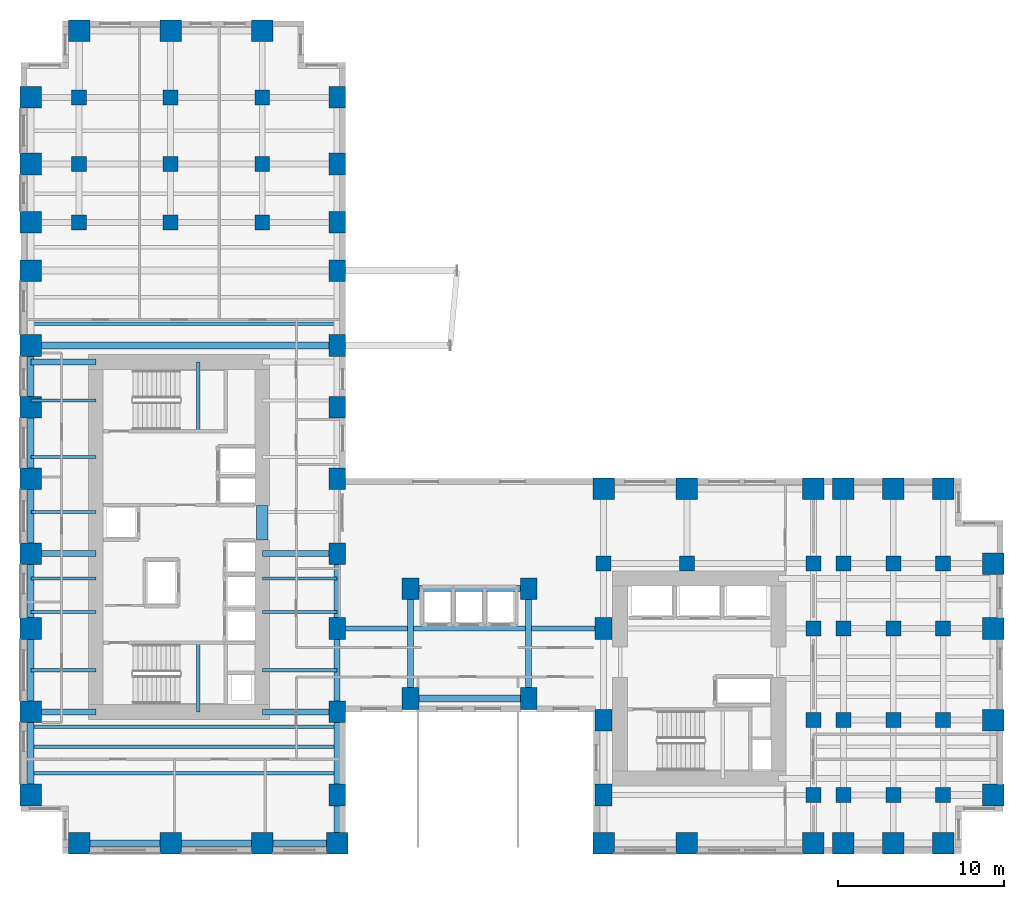
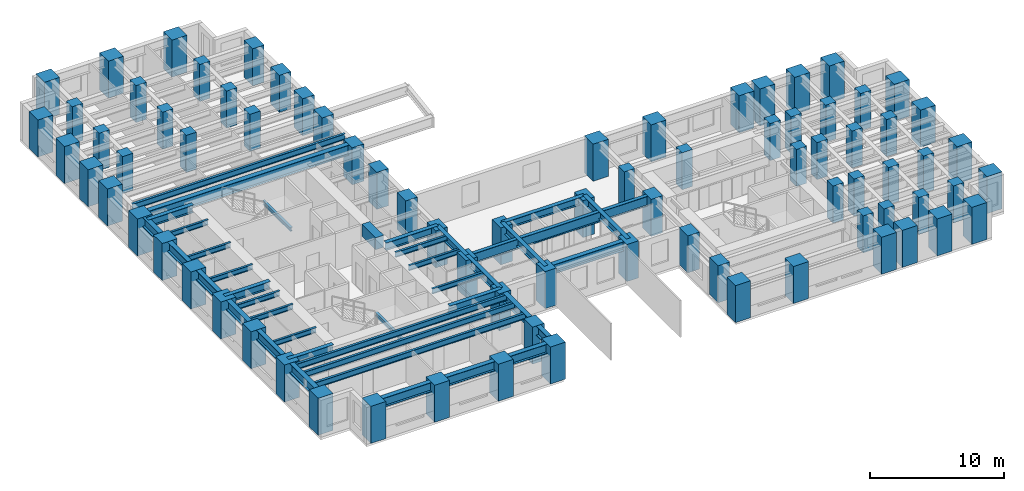
# One storey, part 1 of 14: 79 columns, 40 beams.
"""IFC4 building model written with IfcOpenShell, lengths in metres."""

from ifc_helpers import new_model, si_unit, direction, frame, origin, origin_2d, place, context, subcontext, project, spatial, rectangle, i_section, extrude, source, transform, mapped, material, material_profile, profile_set, type_object, element, save


model = new_model("IFC4")

# Units and contexts
model_context = context("Model", 3, precision=1e-05, world=origin(), true_north=direction((0.0, 1.0)))
body_context = subcontext(model_context, "Body", "Model", "MODEL_VIEW")
ifc_project = project(units=[si_unit("LENGTHUNIT", "METRE"), si_unit("AREAUNIT", "SQUARE_METRE"), si_unit("VOLUMEUNIT", "CUBIC_METRE"), si_unit("PLANEANGLEUNIT", "RADIAN"), si_unit("MASSUNIT", "GRAM", prefix="KILO")], contexts=[model_context])

# Site, building, storey
site_placement = place(None, origin())
site = spatial("IfcSite", under=ifc_project, at=site_placement, CompositionType="ELEMENT")
building_placement = place(site_placement, origin())
building = spatial("IfcBuilding", under=site, at=building_placement, Name="Kharzan Plaza Tower", CompositionType="ELEMENT")
storey_placement = place(building_placement, frame((0.0, 0.0, 36.89990234375)))
storey = spatial("IfcBuildingStorey", under=building, at=storey_placement, Name="L09", CompositionType="ELEMENT", Elevation=36.89990234375)

# Columns
ifc_material_1 = material(Name="Concrete C50/60", Category="concrete")
ifc_material_profile_1 = material_profile(ifc_material_1, rectangle(XDim=0.89990234375, YDim=0.89990234375, at=origin_2d()), Name="RC-IC900x900")
ifc_profile_set_1 = profile_set([ifc_material_profile_1], Name="Concrete C50/60")
column_type_1 = type_object("IfcColumnType", Name="COL-IC900", PredefinedType="COLUMN", material=ifc_profile_set_1)
shared_shape_1 = source(origin(), body_context, "Body", "SweptSolid", [
    extrude(rectangle(XDim=0.89990234375, YDim=0.89990234375, at=origin_2d()), origin(), (0.0, 0.0, 1.0), 3.380126953125),
])
for number, where, z_axis, x_axis, name in (
    (1, (47.60009765625, 13.5, 0.0), (0.0, 0.0, 1.0), (1.0, 0.0, 0.0), "L09 Structural Column TCBI-135"),
    (2, (47.60009765625, 3.5, 0.0), (0.0, 0.0, 1.0), (1.0, 0.0, 0.0), "L09 Structural Column TCBI-35"),
    (3, (47.60009765625, 8.0, 0.0), (0.0, 0.0, 1.0), (1.0, 0.0, 0.0), "L09 Structural Column TCBI-80"),
    (4, (35.0, 17.39990234375, 0.0), (0.0, 0.0, 1.0), (1.0, 0.0, 0.0), "L09 Structural Column TCBN-350-174"),
    (5, (40.0, 17.39990234375, 0.0), (0.0, 0.0, 1.0), (1.0, 0.0, 0.0), "L09 Structural Column TCBN-400-174"),
    (6, (47.60009765625, 17.39990234375, 0.0), (0.0, 0.0, 1.0), (1.0, 0.0, 0.0), "L09 Structural Column TCBN-476-174"),
    (7, (49.39990234375, 13.5, 0.0), (0.0, 0.0, 1.0), (1.0, 0.0, 0.0), "L09 Structural Column TCE-494-135"),
    (8, (49.39990234375, 17.39990234375, 0.0), (0.0, 0.0, 1.0), (1.0, 0.0, 0.0), "L09 Structural Column TCE-494-174"),
    (9, (49.39990234375, 3.5, 0.0), (0.0, 0.0, 1.0), (1.0, 0.0, 0.0), "L09 Structural Column TCE-494-35"),
    (10, (49.39990234375, 8.0, 0.0), (0.0, 0.0, 1.0), (1.0, 0.0, 0.0), "L09 Structural Column TCE-494-80"),
    (11, (52.39990234375, 13.5, 0.0), (0.0, 0.0, 1.0), (1.0, 0.0, 0.0), "L09 Structural Column TCE-524-135"),
    (12, (52.39990234375, 17.39990234375, 0.0), (0.0, 0.0, 1.0), (1.0, 0.0, 0.0), "L09 Structural Column TCE-524-174"),
    (13, (52.39990234375, 3.5, 0.0), (0.0, 0.0, 1.0), (1.0, 0.0, 0.0), "L09 Structural Column TCE-524-35"),
    (14, (52.39990234375, 8.0, 0.0), (0.0, 0.0, 1.0), (1.0, 0.0, 0.0), "L09 Structural Column TCE-524-80"),
    (15, (55.39990234375, 13.5, 0.0), (0.0, 0.0, 1.0), (1.0, 0.0, 0.0), "L09 Structural Column TCE-554-135"),
    (16, (55.39990234375, 17.39990234375, 0.0), (0.0, 0.0, 1.0), (1.0, 0.0, 0.0), "L09 Structural Column TCE-554-174"),
    (17, (55.39990234375, 3.5, 0.0), (0.0, 0.0, 1.0), (1.0, 0.0, 0.0), "L09 Structural Column TCE-554-35"),
    (18, (55.39990234375, 8.0, 0.0), (0.0, 0.0, 1.0), (1.0, 0.0, 0.0), "L09 Structural Column TCE-554-80"),
    (19, (14.5, 37.89990234375, 0.0), (0.0, 0.0, 1.0), (1.0, 0.0, 0.0), "L09 Structural Column TCN-145-379"),
    (20, (14.5, 41.39990234375, 0.0), (0.0, 0.0, 1.0), (1.0, 0.0, 0.0), "L09 Structural Column TCN-145-414"),
    (21, (14.5, 45.39990234375, 0.0), (0.0, 0.0, 1.0), (1.0, 0.0, 0.0), "L09 Structural Column TCN-145-454"),
    (22, (3.5, 37.89990234375, 0.0), (0.0, 0.0, 1.0), (1.0, 0.0, 0.0), "L09 Structural Column TCN-35-379"),
    (23, (3.5, 41.39990234375, 0.0), (0.0, 0.0, 1.0), (1.0, 0.0, 0.0), "L09 Structural Column TCN-35-414"),
    (24, (3.5, 45.39990234375, 0.0), (0.0, 0.0, 1.0), (1.0, 0.0, 0.0), "L09 Structural Column TCN-35-454"),
    (25, (9.0, 37.89990234375, 0.0), (0.0, 0.0, 1.0), (1.0, 0.0, 0.0), "L09 Structural Column TCN-90-379"),
    (26, (9.0, 41.39990234375, 0.0), (0.0, 0.0, 1.0), (1.0, 0.0, 0.0), "L09 Structural Column TCN-90-414"),
    (27, (9.0, 45.39990234375, 0.0), (0.0, 0.0, 1.0), (1.0, 0.0, 0.0), "L09 Structural Column TCN-90-454"),
):
    element("IfcColumn", number, at=place(storey_placement, frame(where, z_axis=z_axis, x_axis=x_axis)), inside=storey, type_object=column_type_1, Name=name, PredefinedType="COLUMN", context=body_context, shape_type="MappedRepresentation", body=[
        mapped(shared_shape_1, transform((0.0, 0.0, 0.0), x_axis=(1.0, 0.0, 0.0), y_axis=(0.0, 1.0, 0.0), z_axis=(0.0, 0.0, 1.0))),
    ])
ifc_material_2 = material(Name="Concrete C60/75", Category="concrete")
ifc_material_profile_2 = material_profile(ifc_material_2, rectangle(XDim=1.0, YDim=1.300048828125, at=origin_2d()), Name="RC-SC1300x1000")
ifc_profile_set_2 = profile_set([ifc_material_profile_2], Name="Concrete C60/75")
column_type_2 = type_object("IfcColumnType", Name="COL-SC1300", PredefinedType="COLUMN", material=ifc_profile_set_2)
shared_shape_2 = source(origin(), body_context, "Body", "SweptSolid", [
    extrude(rectangle(XDim=1.0, YDim=1.300048828125, at=origin_2d()), origin(), (0.0, 0.0, 1.0), 3.380126953125),
])
for number, where, z_axis, x_axis, name in (
    (28, (19.0, 13.5, 0.0), (0.0, 0.0, 1.0), (1.0, 0.0, 0.0), "L09 Structural Column TCA-135"),
    (29, (19.0, 18.0, 0.0), (0.0, 0.0, 1.0), (1.0, 0.0, 0.0), "L09 Structural Column TCA-180"),
    (30, (19.0, 22.5, 0.0), (0.0, 0.0, 1.0), (1.0, 0.0, 0.0), "L09 Structural Column TCA-225"),
    (31, (19.0, 26.800048828125, 0.0), (0.0, 0.0, 1.0), (1.0, 0.0, 0.0), "L09 Structural Column TCA-268"),
    (32, (19.0, 30.5, 0.0), (0.0, 0.0, 1.0), (1.0, 0.0, 0.0), "L09 Structural Column TCA-305"),
    (33, (19.0, 3.5, 0.0), (0.0, 0.0, 1.0), (1.0, 0.0, 0.0), "L09 Structural Column TCA-35"),
    (34, (19.0, 35.0, 0.0), (0.0, 0.0, 1.0), (1.0, 0.0, 0.0), "L09 Structural Column TCA-350"),
    (35, (19.0, 37.89990234375, 0.0), (0.0, 0.0, 1.0), (1.0, 0.0, 0.0), "L09 Structural Column TCA-379"),
    (36, (19.0, 41.39990234375, 0.0), (0.0, 0.0, 1.0), (1.0, 0.0, 0.0), "L09 Structural Column TCA-414"),
    (37, (19.0, 45.39990234375, 0.0), (0.0, 0.0, 1.0), (1.0, 0.0, 0.0), "L09 Structural Column TCA-454"),
    (38, (19.0, 8.5, 0.0), (0.0, 0.0, 1.0), (1.0, 0.0, 0.0), "L09 Structural Column TCA-85"),
    (39, (35.0, 13.5, 0.0), (0.0, 0.0, 1.0), (1.0, 0.0, 0.0), "L09 Structural Column TCBS-135"),
    (40, (35.0, 3.5, 0.0), (0.0, 0.0, 1.0), (1.0, 0.0, 0.0), "L09 Structural Column TCBS-35"),
    (41, (35.0, 8.0, 0.0), (0.0, 0.0, 1.0), (1.0, 0.0, 0.0), "L09 Structural Column TCBS-80"),
    (42, (23.39990234375, 15.89990234375, 0.0), (0.0, 0.0, 1.0), (1.0, 0.0, 0.0), "L09 Structural Column TCSP-234-159"),
    (43, (23.39990234375, 9.300048828125, 0.0), (0.0, 0.0, 1.0), (1.0, 0.0, 0.0), "L09 Structural Column TCSP-234-93"),
    (44, (30.5, 15.89990234375, 0.0), (0.0, 0.0, 1.0), (1.0, 0.0, 0.0), "L09 Structural Column TCSP-305-159"),
    (45, (30.5, 9.300048828125, 0.0), (0.0, 0.0, 1.0), (1.0, 0.0, 0.0), "L09 Structural Column TCSP-305-93"),
):
    element("IfcColumn", number, at=place(storey_placement, frame(where, z_axis=z_axis, x_axis=x_axis)), inside=storey, type_object=column_type_2, Name=name, PredefinedType="COLUMN", context=body_context, shape_type="MappedRepresentation", body=[
        mapped(shared_shape_2, transform((0.0, 0.0, 0.0), x_axis=(1.0, 0.0, 0.0), y_axis=(0.0, 1.0, 0.0), z_axis=(0.0, 0.0, 1.0))),
    ])
ifc_material_profile_3 = material_profile(ifc_material_2, rectangle(XDim=1.300048828125, YDim=1.300048828125, at=origin_2d()), Name="RC-TC1300x1300")
ifc_profile_set_3 = profile_set([ifc_material_profile_3], Name="Concrete C60/75")
column_type_3 = type_object("IfcColumnType", Name="COL-TC1300", PredefinedType="COLUMN", material=ifc_profile_set_3)
shared_shape_3 = source(origin(), body_context, "Body", "SweptSolid", [
    extrude(rectangle(XDim=1.300048828125, YDim=1.300048828125, at=origin_2d()), origin(), (0.0, 0.0, 1.0), 3.380126953125),
])
for number, where, z_axis, x_axis, name in (
    (46, (35.0, 21.89990234375, 0.0), (0.0, 0.0, 1.0), (1.0, 0.0, 0.0), "L09 Structural Column TCBN-350-219"),
    (47, (40.0, 21.89990234375, 0.0), (0.0, 0.0, 1.0), (1.0, 0.0, 0.0), "L09 Structural Column TCBN-400-219"),
    (48, (47.60009765625, 21.89990234375, 0.0), (0.0, 0.0, 1.0), (1.0, 0.0, 0.0), "L09 Structural Column TCBN-476-219"),
    (49, (49.39990234375, 21.89990234375, 0.0), (0.0, 0.0, 1.0), (1.0, 0.0, 0.0), "L09 Structural Column TCBN-494-219"),
    (50, (52.39990234375, 21.89990234375, 0.0), (0.0, 0.0, 1.0), (1.0, 0.0, 0.0), "L09 Structural Column TCBN-524-219"),
    (51, (55.39990234375, 21.89990234375, 0.0), (0.0, 0.0, 1.0), (1.0, 0.0, 0.0), "L09 Structural Column TCBN-554-219"),
    (52, (58.39990234375, 13.5, 0.0), (0.0, 0.0, 1.0), (1.0, 0.0, 0.0), "L09 Structural Column TCE-584-135"),
    (53, (58.39990234375, 17.39990234375, 0.0), (0.0, 0.0, 1.0), (1.0, 0.0, 0.0), "L09 Structural Column TCE-584-174"),
    (54, (58.39990234375, 3.5, 0.0), (0.0, 0.0, 1.0), (1.0, 0.0, 0.0), "L09 Structural Column TCE-584-35"),
    (55, (58.39990234375, 8.0, 0.0), (0.0, 0.0, 1.0), (1.0, 0.0, 0.0), "L09 Structural Column TCE-584-80"),
    (56, (14.5, 49.39990234375, 0.0), (0.0, 0.0, 1.0), (1.0, 0.0, 0.0), "L09 Structural Column TCN-145-494"),
    (57, (3.5, 49.39990234375, 0.0), (0.0, 0.0, 1.0), (1.0, 0.0, 0.0), "L09 Structural Column TCN-35-494"),
    (58, (9.0, 49.39990234375, 0.0), (0.0, 0.0, 1.0), (1.0, 0.0, 0.0), "L09 Structural Column TCN-90-494"),
    (59, (14.5, 0.60009765625, 0.0), (0.0, 0.0, 1.0), (1.0, 0.0, 0.0), "L09 Structural Column TCS-145"),
    (60, (19.0, 0.60009765625, 0.0), (0.0, 0.0, 1.0), (1.0, 0.0, 0.0), "L09 Structural Column TCS-190"),
    (61, (3.5, 0.60009765625, 0.0), (0.0, 0.0, 1.0), (1.0, 0.0, 0.0), "L09 Structural Column TCS-35"),
    (62, (35.0, 0.60009765625, 0.0), (0.0, 0.0, 1.0), (1.0, 0.0, 0.0), "L09 Structural Column TCS-350"),
    (63, (40.0, 0.60009765625, 0.0), (0.0, 0.0, 1.0), (1.0, 0.0, 0.0), "L09 Structural Column TCS-400"),
    (64, (47.60009765625, 0.60009765625, 0.0), (0.0, 0.0, 1.0), (1.0, 0.0, 0.0), "L09 Structural Column TCS-476"),
    (65, (49.39990234375, 0.60009765625, 0.0), (0.0, 0.0, 1.0), (1.0, 0.0, 0.0), "L09 Structural Column TCS-494"),
    (66, (52.39990234375, 0.60009765625, 0.0), (0.0, 0.0, 1.0), (1.0, 0.0, 0.0), "L09 Structural Column TCS-524"),
    (67, (55.39990234375, 0.60009765625, 0.0), (0.0, 0.0, 1.0), (1.0, 0.0, 0.0), "L09 Structural Column TCS-554"),
    (68, (9.0, 0.60009765625, 0.0), (0.0, 0.0, 1.0), (1.0, 0.0, 0.0), "L09 Structural Column TCS-90"),
    (69, (0.60009765625, 13.5, 0.0), (0.0, 0.0, 1.0), (1.0, 0.0, 0.0), "L09 Structural Column TCW-135"),
    (70, (0.60009765625, 18.0, 0.0), (0.0, 0.0, 1.0), (1.0, 0.0, 0.0), "L09 Structural Column TCW-180"),
    (71, (0.60009765625, 22.5, 0.0), (0.0, 0.0, 1.0), (1.0, 0.0, 0.0), "L09 Structural Column TCW-225"),
    (72, (0.60009765625, 26.800048828125, 0.0), (0.0, 0.0, 1.0), (1.0, 0.0, 0.0), "L09 Structural Column TCW-268"),
    (73, (0.60009765625, 30.5, 0.0), (0.0, 0.0, 1.0), (1.0, 0.0, 0.0), "L09 Structural Column TCW-305"),
    (74, (0.60009765625, 3.5, 0.0), (0.0, 0.0, 1.0), (1.0, 0.0, 0.0), "L09 Structural Column TCW-35"),
    (75, (0.60009765625, 35.0, 0.0), (0.0, 0.0, 1.0), (1.0, 0.0, 0.0), "L09 Structural Column TCW-350"),
    (76, (0.60009765625, 37.89990234375, 0.0), (0.0, 0.0, 1.0), (1.0, 0.0, 0.0), "L09 Structural Column TCW-379"),
    (77, (0.60009765625, 41.39990234375, 0.0), (0.0, 0.0, 1.0), (1.0, 0.0, 0.0), "L09 Structural Column TCW-414"),
    (78, (0.60009765625, 45.39990234375, 0.0), (0.0, 0.0, 1.0), (1.0, 0.0, 0.0), "L09 Structural Column TCW-454"),
    (79, (0.60009765625, 8.5, 0.0), (0.0, 0.0, 1.0), (1.0, 0.0, 0.0), "L09 Structural Column TCW-85"),
):
    element("IfcColumn", number, at=place(storey_placement, frame(where, z_axis=z_axis, x_axis=x_axis)), inside=storey, type_object=column_type_3, Name=name, PredefinedType="COLUMN", context=body_context, shape_type="MappedRepresentation", body=[
        mapped(shared_shape_3, transform((0.0, 0.0, 0.0), x_axis=(1.0, 0.0, 0.0), y_axis=(0.0, 1.0, 0.0), z_axis=(0.0, 0.0, 1.0))),
    ])

# Beams
ifc_material_profile_4 = material_profile(ifc_material_2, rectangle(XDim=0.699951171875, YDim=1.10009765625, at=origin_2d()), Name="RC-CB1100x700")
ifc_profile_set_4 = profile_set([ifc_material_profile_4], Name="Concrete C60/75")
beam_type_1 = type_object("IfcBeamType", Name="BM-RCCB1100", PredefinedType="LINTEL", material=ifc_profile_set_4)
shared_shape_4 = source(origin(), body_context, "Body", "SweptSolid", [
    extrude(rectangle(XDim=0.699951171875, YDim=1.10009765625, at=origin_2d()), origin(), (0.0, 0.0, 1.0), 2.059814453125),
])
beam_1_placement = place(storey_placement, frame((14.5, 18.820068359375, 2.830078125), z_axis=(0.0, 1.0, 0.0), x_axis=(-1.0, 0.0, 0.0)))
element("IfcBeam", 80, at=beam_1_placement, inside=storey, type_object=beam_type_1, Name="L09 CORE-A RC coupling beam CB1", PredefinedType="LINTEL", context=body_context, shape_type="MappedRepresentation", body=[
    mapped(shared_shape_4, transform((0.0, 0.0, 0.0), x_axis=(1.0, 0.0, 0.0), y_axis=(0.0, 1.0, 0.0), z_axis=(0.0, 0.0, 1.0))),
])
ifc_material_3 = material(Name="Steel S355", Category="steel")
ifc_material_profile_5 = material_profile(ifc_material_3, i_section(OverallWidth=0.205078125, OverallDepth=0.35400390625, WebThickness=0.009521484375, FlangeThickness=0.016845703125, at=origin_2d()), Name="W360x79")
ifc_profile_set_5 = profile_set([ifc_material_profile_5], Name="Steel S355")
beam_type_2 = type_object("IfcBeamType", Name="BM-LNT360", PredefinedType="LINTEL", material=ifc_profile_set_5)
shared_shape_5 = source(origin(), body_context, "Body", "SweptSolid", [
    extrude(i_section(OverallWidth=0.205078125, OverallDepth=0.35400390625, WebThickness=0.009521484375, FlangeThickness=0.016845703125, at=origin_2d()), origin(), (0.0, 0.0, 1.0), 4.155029296875),
])
for number, where, z_axis, x_axis, name in (
    (81, (10.64990234375, 8.5, 1.423095703125), (0.0, 1.0, 0.0), (-1.0, 0.0, 0.0), "L09 Stair ST-1 Half-Landing Beam"),
    (82, (10.64990234375, 25.344970703125, 1.423095703125), (0.0, 1.0, 0.0), (-1.0, 0.0, 0.0), "L09 Stair ST-2 Half-Landing Beam"),
):
    element("IfcBeam", number, at=place(storey_placement, frame(where, z_axis=z_axis, x_axis=x_axis)), inside=storey, type_object=beam_type_2, Name=name, PredefinedType="LINTEL", context=body_context, shape_type="MappedRepresentation", body=[
        mapped(shared_shape_5, transform((0.0, 0.0, 0.0), x_axis=(1.0, 0.0, 0.0), y_axis=(0.0, 1.0, 0.0), z_axis=(0.0, 0.0, 1.0))),
    ])
ifc_material_profile_6 = material_profile(ifc_material_3, i_section(OverallWidth=0.304931640625, OverallDepth=0.9189453125, WebThickness=0.017333984375, FlangeThickness=0.02783203125, at=origin_2d()), Name="W920x253")
ifc_profile_set_6 = profile_set([ifc_material_profile_6], Name="Steel S355")
beam_type_3 = type_object("IfcBeamType", Name="BM-FG920B", PredefinedType="BEAM", material=ifc_profile_set_6)
shared_shape_6 = source(origin(), body_context, "Body", "SweptSolid", [
    extrude(i_section(OverallWidth=0.304931640625, OverallDepth=0.9189453125, WebThickness=0.017333984375, FlangeThickness=0.02783203125, at=origin_2d()), origin(), (0.0, 0.0, 1.0), 16.0),
])
beam_2_placement = place(storey_placement, frame((19.0, 13.5, 2.920654296875), z_axis=(1.0, 0.0, 0.0), x_axis=(0.0, 1.0, 0.0)))
element("IfcBeam", 83, at=beam_2_placement, inside=storey, type_object=beam_type_3, Name="L09 Primary Floor Girder", PredefinedType="BEAM", context=body_context, shape_type="MappedRepresentation", body=[
    mapped(shared_shape_6, transform((0.0, 0.0, 0.0), x_axis=(1.0, 0.0, 0.0), y_axis=(0.0, 1.0, 0.0), z_axis=(0.0, 0.0, 1.0))),
])
ifc_material_profile_7 = material_profile(ifc_material_3, i_section(OverallWidth=0.35498046875, OverallDepth=0.695068359375, WebThickness=0.015380859375, FlangeThickness=0.02490234375, at=origin_2d()), Name="W690x217")
ifc_profile_set_7 = profile_set([ifc_material_profile_7], Name="Steel S355")
beam_type_4 = type_object("IfcBeamType", Name="BM-FG690A", PredefinedType="BEAM", material=ifc_profile_set_7)
shared_shape_7 = source(origin(), body_context, "Body", "SweptSolid", [
    extrude(i_section(OverallWidth=0.35498046875, OverallDepth=0.695068359375, WebThickness=0.015380859375, FlangeThickness=0.02490234375, at=origin_2d()), origin(), (0.0, 0.0, 1.0), 4.5),
])
for number, where, z_axis, x_axis, name in (
    (84, (14.5, 8.5, 3.03271484375), (1.0, 0.0, 0.0), (0.0, 1.0, 0.0), "L09 Core-A East Floor Girder 1"),
    (85, (14.5, 18.0, 3.03271484375), (1.0, 0.0, 0.0), (0.0, 1.0, 0.0), "L09 Core-A East Floor Girder 2"),
    (86, (19.0, 13.5, 3.03271484375), (0.0, 1.0, 0.0), (-1.0, 0.0, 0.0), "L09 Interior Frame Girder"),
):
    element("IfcBeam", number, at=place(storey_placement, frame(where, z_axis=z_axis, x_axis=x_axis)), inside=storey, type_object=beam_type_4, Name=name, PredefinedType="BEAM", context=body_context, shape_type="MappedRepresentation", body=[
        mapped(shared_shape_7, transform((0.0, 0.0, 0.0), x_axis=(1.0, 0.0, 0.0), y_axis=(0.0, 1.0, 0.0), z_axis=(0.0, 0.0, 1.0))),
    ])
shared_shape_8 = source(origin(), body_context, "Body", "SweptSolid", [
    extrude(i_section(OverallWidth=0.35498046875, OverallDepth=0.695068359375, WebThickness=0.015380859375, FlangeThickness=0.02490234375, at=origin_2d()), origin(), (0.0, 0.0, 1.0), 3.89990234375),
])
for number, where, z_axis, x_axis, name in (
    (87, (0.60009765625, 8.5, 3.03271484375), (1.0, 0.0, 0.0), (0.0, 1.0, 0.0), "L09 Core-A West Floor Girder 1"),
    (88, (0.60009765625, 18.0, 3.03271484375), (1.0, 0.0, 0.0), (0.0, 1.0, 0.0), "L09 Core-A West Floor Girder 2"),
    (89, (0.60009765625, 29.5, 3.03271484375), (1.0, 0.0, 0.0), (0.0, 1.0, 0.0), "L09 Core-A West Floor Girder 3"),
):
    element("IfcBeam", number, at=place(storey_placement, frame(where, z_axis=z_axis, x_axis=x_axis)), inside=storey, type_object=beam_type_4, Name=name, PredefinedType="BEAM", context=body_context, shape_type="MappedRepresentation", body=[
        mapped(shared_shape_8, transform((0.0, 0.0, 0.0), x_axis=(1.0, 0.0, 0.0), y_axis=(0.0, 1.0, 0.0), z_axis=(0.0, 0.0, 1.0))),
    ])
shared_shape_9 = source(origin(), body_context, "Body", "SweptSolid", [
    extrude(i_section(OverallWidth=0.35498046875, OverallDepth=0.695068359375, WebThickness=0.015380859375, FlangeThickness=0.02490234375, at=origin_2d()), origin(), (0.0, 0.0, 1.0), 5.0),
])
beam_3_placement = place(storey_placement, frame((19.0, 8.5, 3.03271484375), z_axis=(0.0, 1.0, 0.0), x_axis=(-1.0, 0.0, 0.0)))
element("IfcBeam", 90, at=beam_3_placement, inside=storey, type_object=beam_type_4, Name="L09 Interior Frame Girder", PredefinedType="BEAM", context=body_context, shape_type="MappedRepresentation", body=[
    mapped(shared_shape_9, transform((0.0, 0.0, 0.0), x_axis=(1.0, 0.0, 0.0), y_axis=(0.0, 1.0, 0.0), z_axis=(0.0, 0.0, 1.0))),
])
shared_shape_10 = source(origin(), body_context, "Body", "SweptSolid", [
    extrude(i_section(OverallWidth=0.35498046875, OverallDepth=0.695068359375, WebThickness=0.015380859375, FlangeThickness=0.02490234375, at=origin_2d()), origin(), (0.0, 0.0, 1.0), 6.599853515625),
])
for number, where, z_axis, x_axis, name in (
    (91, (23.39990234375, 9.300048828125, 3.03271484375), (0.0, 1.0, 0.0), (-1.0, 0.0, 0.0), "L09 Interior Frame Girder"),
    (92, (30.5, 9.300048828125, 3.03271484375), (0.0, 1.0, 0.0), (-1.0, 0.0, 0.0), "L09 Interior Frame Girder"),
):
    element("IfcBeam", number, at=place(storey_placement, frame(where, z_axis=z_axis, x_axis=x_axis)), inside=storey, type_object=beam_type_4, Name=name, PredefinedType="BEAM", context=body_context, shape_type="MappedRepresentation", body=[
        mapped(shared_shape_10, transform((0.0, 0.0, 0.0), x_axis=(1.0, 0.0, 0.0), y_axis=(0.0, 1.0, 0.0), z_axis=(0.0, 0.0, 1.0))),
    ])
shared_shape_11 = source(origin(), body_context, "Body", "SweptSolid", [
    extrude(i_section(OverallWidth=0.35498046875, OverallDepth=0.695068359375, WebThickness=0.015380859375, FlangeThickness=0.02490234375, at=origin_2d()), origin(), (0.0, 0.0, 1.0), 7.10009765625),
])
beam_4_placement = place(storey_placement, frame((23.39990234375, 15.89990234375, 3.03271484375), z_axis=(1.0, 0.0, 0.0), x_axis=(0.0, 1.0, 0.0)))
element("IfcBeam", 93, at=beam_4_placement, inside=storey, type_object=beam_type_4, Name="L09 Primary Floor Girder", PredefinedType="BEAM", context=body_context, shape_type="MappedRepresentation", body=[
    mapped(shared_shape_11, transform((0.0, 0.0, 0.0), x_axis=(1.0, 0.0, 0.0), y_axis=(0.0, 1.0, 0.0), z_axis=(0.0, 0.0, 1.0))),
])
ifc_material_profile_8 = material_profile(ifc_material_3, i_section(OverallWidth=0.2099609375, OverallDepth=0.537109375, WebThickness=0.010986328125, FlangeThickness=0.017333984375, at=origin_2d()), Name="W530x101")
ifc_profile_set_8 = profile_set([ifc_material_profile_8], Name="Steel S355")
beam_type_5 = type_object("IfcBeamType", Name="BM-JST530B", PredefinedType="JOIST", material=ifc_profile_set_8)
shared_shape_12 = source(origin(), body_context, "Body", "SweptSolid", [
    extrude(i_section(OverallWidth=0.2099609375, OverallDepth=0.537109375, WebThickness=0.010986328125, FlangeThickness=0.017333984375, at=origin_2d()), origin(), (0.0, 0.0, 1.0), 18.39990234375),
])
for number, where, z_axis, x_axis, name in (
    (94, (0.60009765625, 4.800048828125, 3.111572265625), (1.0, 0.0, 0.0), (0.0, 1.0, 0.0), "L09 Wing A Composite Joist 01"),
    (95, (0.60009765625, 6.39990234375, 3.111572265625), (1.0, 0.0, 0.0), (0.0, 1.0, 0.0), "L09 Wing A Composite Joist 02"),
    (96, (0.60009765625, 7.60009765625, 3.111572265625), (1.0, 0.0, 0.0), (0.0, 1.0, 0.0), "L09 Wing A Composite Joist 03"),
    (97, (0.60009765625, 31.800048828125, 3.111572265625), (1.0, 0.0, 0.0), (0.0, 1.0, 0.0), "L09 Wing A Composite Joist 04"),
):
    element("IfcBeam", number, at=place(storey_placement, frame(where, z_axis=z_axis, x_axis=x_axis)), inside=storey, type_object=beam_type_5, Name=name, PredefinedType="JOIST", context=body_context, shape_type="MappedRepresentation", body=[
        mapped(shared_shape_12, transform((0.0, 0.0, 0.0), x_axis=(1.0, 0.0, 0.0), y_axis=(0.0, 1.0, 0.0), z_axis=(0.0, 0.0, 1.0))),
    ])
ifc_material_profile_9 = material_profile(ifc_material_3, i_section(OverallWidth=0.194091796875, OverallDepth=0.468994140625, WebThickness=0.011474609375, FlangeThickness=0.0205078125, at=origin_2d()), Name="W460x106")
ifc_profile_set_9 = profile_set([ifc_material_profile_9], Name="Steel S355")
beam_type_6 = type_object("IfcBeamType", Name="BM-JST460", PredefinedType="JOIST", material=ifc_profile_set_9)
shared_shape_13 = source(origin(), body_context, "Body", "SweptSolid", [
    extrude(i_section(OverallWidth=0.194091796875, OverallDepth=0.468994140625, WebThickness=0.011474609375, FlangeThickness=0.0205078125, at=origin_2d()), origin(), (0.0, 0.0, 1.0), 4.5),
])
for number, where, z_axis, x_axis, name in (
    (98, (14.5, 11.0, 3.1455078125), (1.0, 0.0, 0.0), (0.0, 1.0, 0.0), "L09 Wing A East Infill Joist 1"),
    (99, (14.5, 14.5, 3.1455078125), (1.0, 0.0, 0.0), (0.0, 1.0, 0.0), "L09 Wing A East Infill Joist 2"),
    (100, (14.5, 16.5, 3.1455078125), (1.0, 0.0, 0.0), (0.0, 1.0, 0.0), "L09 Wing A East Infill Joist 3"),
):
    element("IfcBeam", number, at=place(storey_placement, frame(where, z_axis=z_axis, x_axis=x_axis)), inside=storey, type_object=beam_type_6, Name=name, PredefinedType="JOIST", context=body_context, shape_type="MappedRepresentation", body=[
        mapped(shared_shape_13, transform((0.0, 0.0, 0.0), x_axis=(1.0, 0.0, 0.0), y_axis=(0.0, 1.0, 0.0), z_axis=(0.0, 0.0, 1.0))),
    ])
shared_shape_14 = source(origin(), body_context, "Body", "SweptSolid", [
    extrude(i_section(OverallWidth=0.194091796875, OverallDepth=0.468994140625, WebThickness=0.011474609375, FlangeThickness=0.0205078125, at=origin_2d()), origin(), (0.0, 0.0, 1.0), 3.89990234375),
])
for number, where, z_axis, x_axis, name in (
    (101, (0.60009765625, 11.0, 3.1455078125), (1.0, 0.0, 0.0), (0.0, 1.0, 0.0), "L09 Wing A West Infill Joist 1"),
    (102, (0.60009765625, 14.5, 3.1455078125), (1.0, 0.0, 0.0), (0.0, 1.0, 0.0), "L09 Wing A West Infill Joist 2"),
    (103, (0.60009765625, 16.5, 3.1455078125), (1.0, 0.0, 0.0), (0.0, 1.0, 0.0), "L09 Wing A West Infill Joist 3"),
    (104, (0.60009765625, 20.5, 3.1455078125), (1.0, 0.0, 0.0), (0.0, 1.0, 0.0), "L09 Wing A West Infill Joist 4"),
    (105, (0.60009765625, 23.800048828125, 3.1455078125), (1.0, 0.0, 0.0), (0.0, 1.0, 0.0), "L09 Wing A West Infill Joist 5"),
    (106, (0.60009765625, 27.199951171875, 3.1455078125), (1.0, 0.0, 0.0), (0.0, 1.0, 0.0), "L09 Wing A West Infill Joist 6"),
):
    element("IfcBeam", number, at=place(storey_placement, frame(where, z_axis=z_axis, x_axis=x_axis)), inside=storey, type_object=beam_type_6, Name=name, PredefinedType="JOIST", context=body_context, shape_type="MappedRepresentation", body=[
        mapped(shared_shape_14, transform((0.0, 0.0, 0.0), x_axis=(1.0, 0.0, 0.0), y_axis=(0.0, 1.0, 0.0), z_axis=(0.0, 0.0, 1.0))),
    ])
ifc_material_profile_10 = material_profile(ifc_material_3, i_section(OverallWidth=0.40087890625, OverallDepth=0.85498046875, WebThickness=0.018310546875, FlangeThickness=0.029296875, at=origin_2d()), Name="W840x299")
ifc_profile_set_10 = profile_set([ifc_material_profile_10], Name="Steel S355")
beam_type_7 = type_object("IfcBeamType", Name="BM-SP840A", PredefinedType="SPANDREL", material=ifc_profile_set_10)
shared_shape_15 = source(origin(), body_context, "Body", "SweptSolid", [
    extrude(i_section(OverallWidth=0.40087890625, OverallDepth=0.85498046875, WebThickness=0.018310546875, FlangeThickness=0.029296875, at=origin_2d()), origin(), (0.0, 0.0, 1.0), 5.0),
])
for number, where, z_axis, x_axis, name in (
    (107, (0.60009765625, 3.5, 2.95263671875), (0.0, 1.0, 0.0), (-1.0, 0.0, 0.0), "L09 Perimeter Tube Spandrel"),
    (108, (0.60009765625, 8.5, 2.95263671875), (0.0, 1.0, 0.0), (-1.0, 0.0, 0.0), "L09 Perimeter Tube Spandrel"),
    (109, (19.0, 3.5, 2.95263671875), (0.0, 1.0, 0.0), (-1.0, 0.0, 0.0), "L09 Perimeter Tube Spandrel"),
):
    element("IfcBeam", number, at=place(storey_placement, frame(where, z_axis=z_axis, x_axis=x_axis)), inside=storey, type_object=beam_type_7, Name=name, PredefinedType="SPANDREL", context=body_context, shape_type="MappedRepresentation", body=[
        mapped(shared_shape_15, transform((0.0, 0.0, 0.0), x_axis=(1.0, 0.0, 0.0), y_axis=(0.0, 1.0, 0.0), z_axis=(0.0, 0.0, 1.0))),
    ])
shared_shape_16 = source(origin(), body_context, "Body", "SweptSolid", [
    extrude(i_section(OverallWidth=0.40087890625, OverallDepth=0.85498046875, WebThickness=0.018310546875, FlangeThickness=0.029296875, at=origin_2d()), origin(), (0.0, 0.0, 1.0), 4.5),
])
for number, where, z_axis, x_axis, name in (
    (110, (0.60009765625, 13.5, 2.95263671875), (0.0, 1.0, 0.0), (-1.0, 0.0, 0.0), "L09 Perimeter Tube Spandrel"),
    (111, (0.60009765625, 18.0, 2.95263671875), (0.0, 1.0, 0.0), (-1.0, 0.0, 0.0), "L09 Perimeter Tube Spandrel"),
    (112, (14.5, 0.60009765625, 2.95263671875), (1.0, 0.0, 0.0), (0.0, 1.0, 0.0), "L09 Perimeter Tube Spandrel"),
):
    element("IfcBeam", number, at=place(storey_placement, frame(where, z_axis=z_axis, x_axis=x_axis)), inside=storey, type_object=beam_type_7, Name=name, PredefinedType="SPANDREL", context=body_context, shape_type="MappedRepresentation", body=[
        mapped(shared_shape_16, transform((0.0, 0.0, 0.0), x_axis=(1.0, 0.0, 0.0), y_axis=(0.0, 1.0, 0.0), z_axis=(0.0, 0.0, 1.0))),
    ])
shared_shape_17 = source(origin(), body_context, "Body", "SweptSolid", [
    extrude(i_section(OverallWidth=0.40087890625, OverallDepth=0.85498046875, WebThickness=0.018310546875, FlangeThickness=0.029296875, at=origin_2d()), origin(), (0.0, 0.0, 1.0), 4.300048828125),
])
beam_5_placement = place(storey_placement, frame((0.60009765625, 22.5, 2.95263671875), z_axis=(0.0, 1.0, 0.0), x_axis=(-1.0, 0.0, 0.0)))
element("IfcBeam", 113, at=beam_5_placement, inside=storey, type_object=beam_type_7, Name="L09 Perimeter Tube Spandrel", PredefinedType="SPANDREL", context=body_context, shape_type="MappedRepresentation", body=[
    mapped(shared_shape_17, transform((0.0, 0.0, 0.0), x_axis=(1.0, 0.0, 0.0), y_axis=(0.0, 1.0, 0.0), z_axis=(0.0, 0.0, 1.0))),
])
shared_shape_18 = source(origin(), body_context, "Body", "SweptSolid", [
    extrude(i_section(OverallWidth=0.40087890625, OverallDepth=0.85498046875, WebThickness=0.018310546875, FlangeThickness=0.029296875, at=origin_2d()), origin(), (0.0, 0.0, 1.0), 3.699951171875),
])
beam_6_placement = place(storey_placement, frame((0.60009765625, 26.800048828125, 2.95263671875), z_axis=(0.0, 1.0, 0.0), x_axis=(-1.0, 0.0, 0.0)))
element("IfcBeam", 114, at=beam_6_placement, inside=storey, type_object=beam_type_7, Name="L09 Perimeter Tube Spandrel", PredefinedType="SPANDREL", context=body_context, shape_type="MappedRepresentation", body=[
    mapped(shared_shape_18, transform((0.0, 0.0, 0.0), x_axis=(1.0, 0.0, 0.0), y_axis=(0.0, 1.0, 0.0), z_axis=(0.0, 0.0, 1.0))),
])
shared_shape_19 = source(origin(), body_context, "Body", "SweptSolid", [
    extrude(i_section(OverallWidth=0.40087890625, OverallDepth=0.85498046875, WebThickness=0.018310546875, FlangeThickness=0.029296875, at=origin_2d()), origin(), (0.0, 0.0, 1.0), 2.89990234375),
])
beam_7_placement = place(storey_placement, frame((19.0, 0.60009765625, 2.95263671875), z_axis=(0.0, 1.0, 0.0), x_axis=(-1.0, 0.0, 0.0)))
element("IfcBeam", 115, at=beam_7_placement, inside=storey, type_object=beam_type_7, Name="L09 Perimeter Tube Spandrel", PredefinedType="SPANDREL", context=body_context, shape_type="MappedRepresentation", body=[
    mapped(shared_shape_19, transform((0.0, 0.0, 0.0), x_axis=(1.0, 0.0, 0.0), y_axis=(0.0, 1.0, 0.0), z_axis=(0.0, 0.0, 1.0))),
])
shared_shape_20 = source(origin(), body_context, "Body", "SweptSolid", [
    extrude(i_section(OverallWidth=0.40087890625, OverallDepth=0.85498046875, WebThickness=0.018310546875, FlangeThickness=0.029296875, at=origin_2d()), origin(), (0.0, 0.0, 1.0), 5.5),
])
for number, where, z_axis, x_axis, name in (
    (116, (3.5, 0.60009765625, 2.95263671875), (1.0, 0.0, 0.0), (0.0, 1.0, 0.0), "L09 Perimeter Tube Spandrel"),
    (117, (9.0, 0.60009765625, 2.95263671875), (1.0, 0.0, 0.0), (0.0, 1.0, 0.0), "L09 Perimeter Tube Spandrel"),
):
    element("IfcBeam", number, at=place(storey_placement, frame(where, z_axis=z_axis, x_axis=x_axis)), inside=storey, type_object=beam_type_7, Name=name, PredefinedType="SPANDREL", context=body_context, shape_type="MappedRepresentation", body=[
        mapped(shared_shape_20, transform((0.0, 0.0, 0.0), x_axis=(1.0, 0.0, 0.0), y_axis=(0.0, 1.0, 0.0), z_axis=(0.0, 0.0, 1.0))),
    ])
shared_shape_21 = source(origin(), body_context, "Body", "SweptSolid", [
    extrude(i_section(OverallWidth=0.40087890625, OverallDepth=0.85498046875, WebThickness=0.018310546875, FlangeThickness=0.029296875, at=origin_2d()), origin(), (0.0, 0.0, 1.0), 7.10009765625),
])
beam_8_placement = place(storey_placement, frame((23.39990234375, 9.300048828125, 2.95263671875), z_axis=(1.0, 0.0, 0.0), x_axis=(0.0, 1.0, 0.0)))
element("IfcBeam", 118, at=beam_8_placement, inside=storey, type_object=beam_type_7, Name="L09 Perimeter Tube Spandrel", PredefinedType="SPANDREL", context=body_context, shape_type="MappedRepresentation", body=[
    mapped(shared_shape_21, transform((0.0, 0.0, 0.0), x_axis=(1.0, 0.0, 0.0), y_axis=(0.0, 1.0, 0.0), z_axis=(0.0, 0.0, 1.0))),
])
ifc_material_profile_11 = material_profile(ifc_material_3, i_section(OverallWidth=0.41796875, OverallDepth=0.93701171875, WebThickness=0.019287109375, FlangeThickness=0.031982421875, at=origin_2d()), Name="W920x342")
ifc_profile_set_11 = profile_set([ifc_material_profile_11], Name="Steel S355")
beam_type_8 = type_object("IfcBeamType", Name="BM-ZTB920", PredefinedType="BEAM", material=ifc_profile_set_11)
shared_shape_22 = source(origin(), body_context, "Body", "SweptSolid", [
    extrude(i_section(OverallWidth=0.41796875, OverallDepth=0.93701171875, WebThickness=0.019287109375, FlangeThickness=0.031982421875, at=origin_2d()), origin(), (0.0, 0.0, 1.0), 18.39990234375),
])
beam_9_placement = place(storey_placement, frame((0.60009765625, 30.5, 2.91162109375), z_axis=(1.0, 0.0, 0.0), x_axis=(0.0, 1.0, 0.0)))
element("IfcBeam", 119, at=beam_9_placement, inside=storey, type_object=beam_type_8, Name="L09 Sky-Terrace Back-Span Girder ZTB1 (L10 G1)", PredefinedType="BEAM", context=body_context, shape_type="MappedRepresentation", body=[
    mapped(shared_shape_22, transform((0.0, 0.0, 0.0), x_axis=(1.0, 0.0, 0.0), y_axis=(0.0, 1.0, 0.0), z_axis=(0.0, 0.0, 1.0))),
])

save(model, "model.ifc")
